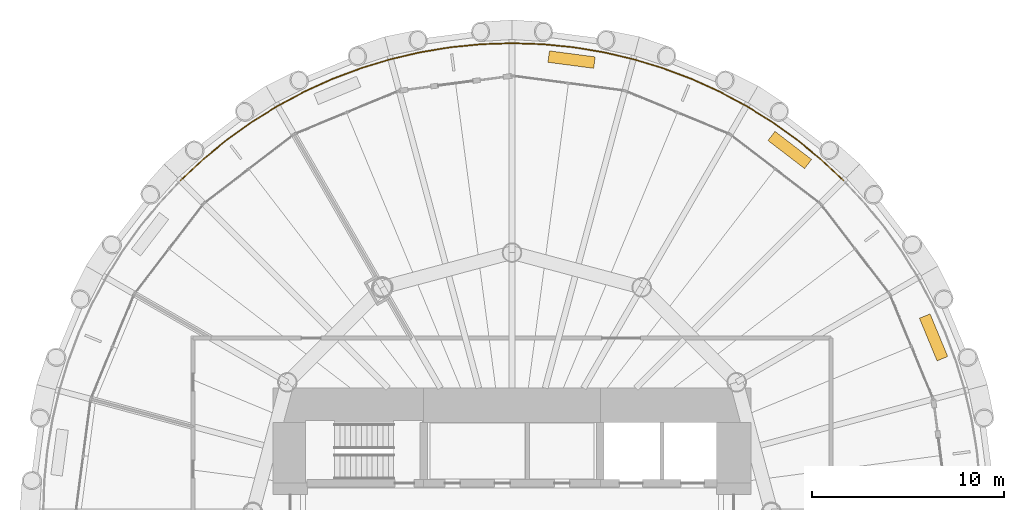
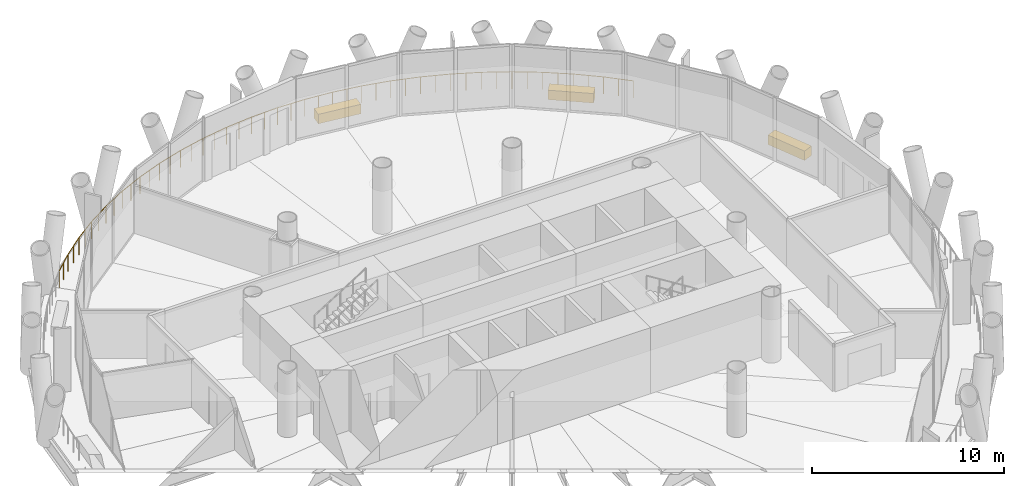
# One storey, part 14 of 14: 3 coverings, 1 railing.
"""IFC4 building model written with IfcOpenShell, lengths in metres."""

from ifc_helpers import new_model, si_unit, direction, frame, origin, origin_2d, place, context, subcontext, project, spatial, rectangle, circle, extrude, material, layer, layer_set, type_object, element, save


model = new_model("IFC4")

# Units and contexts
model_context = context("Model", 3, precision=1e-05, world=origin(), true_north=direction((0.0, 1.0)))
body_context = subcontext(model_context, "Body", "Model", "MODEL_VIEW")
ifc_project = project(units=[si_unit("LENGTHUNIT", "METRE"), si_unit("AREAUNIT", "SQUARE_METRE"), si_unit("VOLUMEUNIT", "CUBIC_METRE"), si_unit("PLANEANGLEUNIT", "RADIAN"), si_unit("MASSUNIT", "GRAM", prefix="KILO")], contexts=[model_context])

# Site, building, storey
site_placement = place(None, origin())
site = spatial("IfcSite", under=ifc_project, at=site_placement, CompositionType="ELEMENT")
building_placement = place(site_placement, origin())
building = spatial("IfcBuilding", under=site, at=building_placement, Name="Qaws Media Tower", CompositionType="ELEMENT")
storey_placement = place(building_placement, frame((0.0, 0.0, 126.800048828125)))
storey = spatial("IfcBuildingStorey", under=building, at=storey_placement, Name="L28", CompositionType="ELEMENT", Elevation=126.800048828125)

# Railing
ifc_material_1 = material(Name="Stainless steel and glass guard", Category="steel")
railing_type = type_object("IfcRailingType", Name="Balcony guard 1100", PredefinedType="GUARDRAIL", material=ifc_material_1)
railing_placement = place(storey_placement, frame((77.25341796875, 67.25341796875, 0.0)))
element("IfcRailing", 1, at=railing_placement, inside=storey, type_object=railing_type, Name="GR1 balcony guard L28-1", PredefinedType="GUARDRAIL", context=body_context, shape_type="SweptSolid", body=[
    extrude(circle(Radius=0.02392578125, at=origin_2d()), frame((0.0, 0.0, 1.076171875), z_axis=(-0.729818476027, 0.683640981839, 0.0), x_axis=(-0.683640981839, -0.729818476027, 0.0)), (0.0, 0.0, 1.0), 1.5966796875),
    extrude(circle(Radius=0.02392578125, at=origin_2d()), frame((-1.165283203125, 1.091552734375, 1.076171875), z_axis=(-0.773036842629, 0.634361127386, 0.0), x_axis=(-0.634361127386, -0.773036842629, 0.0)), (0.0, 0.0, 1.0), 1.5966796875),
    extrude(circle(Radius=0.02392578125, at=origin_2d()), frame((-2.399658203125, 2.1044921875, 1.076171875), z_axis=(-0.812875043976, 0.582438119358, 0.0), x_axis=(-0.582438119358, -0.812875043976, 0.0)), (0.0, 0.0, 1.0), 1.5966796875),
    extrude(circle(Radius=0.02392578125, at=origin_2d()), frame((-3.697509765625, 3.034423828125, 1.076171875), z_axis=(-0.849181552622, 0.528101023183, 0.0), x_axis=(-0.528101023183, -0.849181552622, 0.0)), (0.0, 0.0, 1.0), 1.5966796875),
    extrude(circle(Radius=0.02392578125, at=origin_2d()), frame((-5.053466796875, 3.877685546875, 1.076171875), z_axis=(-0.881925093019, 0.471389573817, 0.0), x_axis=(-0.471389573817, -0.881925093019, 0.0)), (0.0, 0.0, 1.0), 1.5966796875),
    extrude(circle(Radius=0.02392578125, at=origin_2d()), frame((-6.461669921875, 4.63037109375, 1.076171875), z_axis=(-0.910868514456, 0.412696679624, 0.0), x_axis=(-0.412696679624, -0.910868514456, 0.0)), (0.0, 0.0, 1.0), 1.5966796875),
    extrude(circle(Radius=0.02392578125, at=origin_2d()), frame((-7.916015625, 5.289306640625, 1.076171875), z_axis=(-0.935945304178, 0.352145406881, 0.0), x_axis=(-0.352145406881, -0.935945304178, 0.0)), (0.0, 0.0, 1.0), 1.5966796875),
    extrude(circle(Radius=0.02392578125, at=origin_2d()), frame((-9.410400390625, 5.8515625, 1.076171875), z_axis=(-0.956912447649, 0.290376596051, 0.0), x_axis=(-0.290376596051, -0.956912447649, 0.0)), (0.0, 0.0, 1.0), 1.5966796875),
    extrude(circle(Radius=0.02392578125, at=origin_2d()), frame((-10.938232421875, 6.315185546875, 1.076171875), z_axis=(-0.973878416925, 0.227070097211, 0.0), x_axis=(-0.227070097211, -0.973878416925, 0.0)), (0.0, 0.0, 1.0), 1.5966796875),
    extrude(circle(Radius=0.02392578125, at=origin_2d()), frame((-12.4931640625, 6.677734375, 1.076171875), z_axis=(-0.986653027442, 0.162836738606, 0.0), x_axis=(-0.162836738606, -0.986653027442, 0.0)), (0.0, 0.0, 1.0), 1.5966796875),
    extrude(circle(Radius=0.02392578125, at=origin_2d()), frame((-14.068603515625, 6.937744140625, 1.076171875), z_axis=(-0.995184458966, 0.098019858359, 0.0), x_axis=(-0.098019858359, -0.995184458966, 0.0)), (0.0, 0.0, 1.0), 1.596435546875),
    extrude(circle(Radius=0.02392578125, at=origin_2d()), frame((-15.657470703125, 7.09423828125, 1.076171875), z_axis=(-0.999464583588, 0.032719201604, 0.0), x_axis=(-0.032719201604, -0.999464583588, 0.0)), (0.0, 0.0, 1.0), 1.596923828125),
    extrude(circle(Radius=0.02392578125, at=origin_2d()), frame((-17.25341796875, 7.146484375, 1.076171875), z_axis=(-0.999464583588, -0.032719201604, 0.0), x_axis=(0.032719201604, -0.999464583588, 0.0)), (0.0, 0.0, 1.0), 1.596923828125),
    extrude(circle(Radius=0.02392578125, at=origin_2d()), frame((-18.849365234375, 7.09423828125, 1.076171875), z_axis=(-0.995184458966, -0.098019858359, 0.0), x_axis=(0.098019858359, -0.995184458966, 0.0)), (0.0, 0.0, 1.0), 1.596435546875),
    extrude(circle(Radius=0.02392578125, at=origin_2d()), frame((-20.438232421875, 6.937744140625, 1.076171875), z_axis=(-0.986653027442, -0.162836738606, 0.0), x_axis=(0.162836738606, -0.986653027442, 0.0)), (0.0, 0.0, 1.0), 1.5966796875),
    extrude(circle(Radius=0.02392578125, at=origin_2d()), frame((-22.013671875, 6.677734375, 1.076171875), z_axis=(-0.973878416925, -0.227070097211, 0.0), x_axis=(0.227070097211, -0.973878416925, 0.0)), (0.0, 0.0, 1.0), 1.5966796875),
    extrude(circle(Radius=0.02392578125, at=origin_2d()), frame((-23.568603515625, 6.315185546875, 1.076171875), z_axis=(-0.956912447649, -0.290376596051, 0.0), x_axis=(0.290376596051, -0.956912447649, 0.0)), (0.0, 0.0, 1.0), 1.5966796875),
    extrude(circle(Radius=0.02392578125, at=origin_2d()), frame((-25.096435546875, 5.8515625, 1.076171875), z_axis=(-0.935945304178, -0.352145406881, 0.0), x_axis=(0.352145406881, -0.935945304178, 0.0)), (0.0, 0.0, 1.0), 1.5966796875),
    extrude(circle(Radius=0.02392578125, at=origin_2d()), frame((-26.5908203125, 5.289306640625, 1.076171875), z_axis=(-0.910868514456, -0.412696679624, 0.0), x_axis=(0.412696679624, -0.910868514456, 0.0)), (0.0, 0.0, 1.0), 1.5966796875),
    extrude(circle(Radius=0.02392578125, at=origin_2d()), frame((-28.045166015625, 4.63037109375, 1.076171875), z_axis=(-0.881925093019, -0.471389573817, 0.0), x_axis=(0.471389573817, -0.881925093019, 0.0)), (0.0, 0.0, 1.0), 1.5966796875),
    extrude(circle(Radius=0.02392578125, at=origin_2d()), frame((-29.453369140625, 3.877685546875, 1.076171875), z_axis=(-0.849181552622, -0.528101023183, 0.0), x_axis=(0.528101023183, -0.849181552622, 0.0)), (0.0, 0.0, 1.0), 1.5966796875),
    extrude(circle(Radius=0.02392578125, at=origin_2d()), frame((-30.809326171875, 3.034423828125, 1.076171875), z_axis=(-0.812875043976, -0.582438119358, 0.0), x_axis=(0.582438119358, -0.812875043976, 0.0)), (0.0, 0.0, 1.0), 1.5966796875),
    extrude(circle(Radius=0.02392578125, at=origin_2d()), frame((-32.107177734375, 2.1044921875, 1.076171875), z_axis=(-0.773036842629, -0.634361127386, 0.0), x_axis=(0.634361127386, -0.773036842629, 0.0)), (0.0, 0.0, 1.0), 1.5966796875),
    extrude(circle(Radius=0.02392578125, at=origin_2d()), frame((-33.341552734375, 1.091552734375, 1.076171875), z_axis=(-0.729818476027, -0.683640981839, 0.0), x_axis=(0.683640981839, -0.729818476027, 0.0)), (0.0, 0.0, 1.0), 1.5966796875),
    extrude(circle(Radius=0.02099609375, at=origin_2d()), origin(), (0.0, 0.0, 1.0), 1.052001953125),
    extrude(circle(Radius=0.02099609375, at=origin_2d()), frame((-0.58251953125, 0.5458984375, 0.0)), (0.0, 0.0, 1.0), 1.052001953125),
    extrude(circle(Radius=0.02099609375, at=origin_2d()), frame((-1.165283203125, 1.091552734375, 0.0)), (0.0, 0.0, 1.0), 1.052001953125),
    extrude(circle(Radius=0.02099609375, at=origin_2d()), frame((-1.782470703125, 1.59814453125, 0.0)), (0.0, 0.0, 1.0), 1.052001953125),
    extrude(circle(Radius=0.02099609375, at=origin_2d()), frame((-2.399658203125, 2.1044921875, 0.0)), (0.0, 0.0, 1.0), 1.052001953125),
    extrude(circle(Radius=0.02099609375, at=origin_2d()), frame((-3.048583984375, 2.5693359375, 0.0)), (0.0, 0.0, 1.0), 1.052001953125),
    extrude(circle(Radius=0.02099609375, at=origin_2d()), frame((-3.697509765625, 3.034423828125, 0.0)), (0.0, 0.0, 1.0), 1.052001953125),
    extrude(circle(Radius=0.02099609375, at=origin_2d()), frame((-4.37548828125, 3.4560546875, 0.0)), (0.0, 0.0, 1.0), 1.052001953125),
    extrude(circle(Radius=0.02099609375, at=origin_2d()), frame((-5.053466796875, 3.877685546875, 0.0)), (0.0, 0.0, 1.0), 1.052001953125),
    extrude(circle(Radius=0.02099609375, at=origin_2d()), frame((-5.757568359375, 4.25390625, 0.0)), (0.0, 0.0, 1.0), 1.052001953125),
    extrude(circle(Radius=0.02099609375, at=origin_2d()), frame((-6.461669921875, 4.63037109375, 0.0)), (0.0, 0.0, 1.0), 1.052001953125),
    extrude(circle(Radius=0.02099609375, at=origin_2d()), frame((-7.18896484375, 4.9599609375, 0.0)), (0.0, 0.0, 1.0), 1.052001953125),
    extrude(circle(Radius=0.02099609375, at=origin_2d()), frame((-7.916015625, 5.289306640625, 0.0)), (0.0, 0.0, 1.0), 1.052001953125),
    extrude(circle(Radius=0.02099609375, at=origin_2d()), frame((-8.6630859375, 5.5703125, 0.0)), (0.0, 0.0, 1.0), 1.052001953125),
    extrude(circle(Radius=0.02099609375, at=origin_2d()), frame((-9.410400390625, 5.8515625, 0.0)), (0.0, 0.0, 1.0), 1.052001953125),
    extrude(circle(Radius=0.02099609375, at=origin_2d()), frame((-10.17431640625, 6.08349609375, 0.0)), (0.0, 0.0, 1.0), 1.052001953125),
    extrude(circle(Radius=0.02099609375, at=origin_2d()), frame((-10.938232421875, 6.315185546875, 0.0)), (0.0, 0.0, 1.0), 1.052001953125),
    extrude(circle(Radius=0.02099609375, at=origin_2d()), frame((-11.7158203125, 6.49658203125, 0.0)), (0.0, 0.0, 1.0), 1.052001953125),
    extrude(circle(Radius=0.02099609375, at=origin_2d()), frame((-12.4931640625, 6.677734375, 0.0)), (0.0, 0.0, 1.0), 1.052001953125),
    extrude(circle(Radius=0.02099609375, at=origin_2d()), frame((-13.28076171875, 6.8076171875, 0.0)), (0.0, 0.0, 1.0), 1.052001953125),
    extrude(circle(Radius=0.02099609375, at=origin_2d()), frame((-14.068603515625, 6.937744140625, 0.0)), (0.0, 0.0, 1.0), 1.052001953125),
    extrude(circle(Radius=0.02099609375, at=origin_2d()), frame((-14.863037109375, 7.01611328125, 0.0)), (0.0, 0.0, 1.0), 1.052001953125),
    extrude(circle(Radius=0.02099609375, at=origin_2d()), frame((-15.657470703125, 7.09423828125, 0.0)), (0.0, 0.0, 1.0), 1.052001953125),
    extrude(circle(Radius=0.02099609375, at=origin_2d()), frame((-16.45556640625, 7.120361328125, 0.0)), (0.0, 0.0, 1.0), 1.052001953125),
    extrude(circle(Radius=0.02099609375, at=origin_2d()), frame((-17.25341796875, 7.146484375, 0.0)), (0.0, 0.0, 1.0), 1.052001953125),
    extrude(circle(Radius=0.02099609375, at=origin_2d()), frame((-18.05126953125, 7.120361328125, 0.0)), (0.0, 0.0, 1.0), 1.052001953125),
    extrude(circle(Radius=0.02099609375, at=origin_2d()), frame((-18.849365234375, 7.09423828125, 0.0)), (0.0, 0.0, 1.0), 1.052001953125),
    extrude(circle(Radius=0.02099609375, at=origin_2d()), frame((-19.643798828125, 7.01611328125, 0.0)), (0.0, 0.0, 1.0), 1.052001953125),
    extrude(circle(Radius=0.02099609375, at=origin_2d()), frame((-20.438232421875, 6.937744140625, 0.0)), (0.0, 0.0, 1.0), 1.052001953125),
    extrude(circle(Radius=0.02099609375, at=origin_2d()), frame((-21.22607421875, 6.8076171875, 0.0)), (0.0, 0.0, 1.0), 1.052001953125),
    extrude(circle(Radius=0.02099609375, at=origin_2d()), frame((-22.013671875, 6.677734375, 0.0)), (0.0, 0.0, 1.0), 1.052001953125),
    extrude(circle(Radius=0.02099609375, at=origin_2d()), frame((-22.791015625, 6.49658203125, 0.0)), (0.0, 0.0, 1.0), 1.052001953125),
    extrude(circle(Radius=0.02099609375, at=origin_2d()), frame((-23.568603515625, 6.315185546875, 0.0)), (0.0, 0.0, 1.0), 1.052001953125),
    extrude(circle(Radius=0.02099609375, at=origin_2d()), frame((-24.33251953125, 6.08349609375, 0.0)), (0.0, 0.0, 1.0), 1.052001953125),
    extrude(circle(Radius=0.02099609375, at=origin_2d()), frame((-25.096435546875, 5.8515625, 0.0)), (0.0, 0.0, 1.0), 1.052001953125),
    extrude(circle(Radius=0.02099609375, at=origin_2d()), frame((-25.84375, 5.5703125, 0.0)), (0.0, 0.0, 1.0), 1.052001953125),
    extrude(circle(Radius=0.02099609375, at=origin_2d()), frame((-26.5908203125, 5.289306640625, 0.0)), (0.0, 0.0, 1.0), 1.052001953125),
    extrude(circle(Radius=0.02099609375, at=origin_2d()), frame((-27.31787109375, 4.9599609375, 0.0)), (0.0, 0.0, 1.0), 1.052001953125),
    extrude(circle(Radius=0.02099609375, at=origin_2d()), frame((-28.045166015625, 4.63037109375, 0.0)), (0.0, 0.0, 1.0), 1.052001953125),
    extrude(circle(Radius=0.02099609375, at=origin_2d()), frame((-28.749267578125, 4.25390625, 0.0)), (0.0, 0.0, 1.0), 1.052001953125),
    extrude(circle(Radius=0.02099609375, at=origin_2d()), frame((-29.453369140625, 3.877685546875, 0.0)), (0.0, 0.0, 1.0), 1.052001953125),
    extrude(circle(Radius=0.02099609375, at=origin_2d()), frame((-30.13134765625, 3.4560546875, 0.0)), (0.0, 0.0, 1.0), 1.052001953125),
    extrude(circle(Radius=0.02099609375, at=origin_2d()), frame((-30.809326171875, 3.034423828125, 0.0)), (0.0, 0.0, 1.0), 1.052001953125),
    extrude(circle(Radius=0.02099609375, at=origin_2d()), frame((-31.458251953125, 2.5693359375, 0.0)), (0.0, 0.0, 1.0), 1.052001953125),
    extrude(circle(Radius=0.02099609375, at=origin_2d()), frame((-32.107177734375, 2.1044921875, 0.0)), (0.0, 0.0, 1.0), 1.052001953125),
    extrude(circle(Radius=0.02099609375, at=origin_2d()), frame((-32.724365234375, 1.59814453125, 0.0)), (0.0, 0.0, 1.0), 1.052001953125),
    extrude(circle(Radius=0.02099609375, at=origin_2d()), frame((-33.341552734375, 1.091552734375, 0.0)), (0.0, 0.0, 1.0), 1.052001953125),
    extrude(circle(Radius=0.02099609375, at=origin_2d()), frame((-33.92431640625, 0.5458984375, 0.0)), (0.0, 0.0, 1.0), 1.052001953125),
    extrude(circle(Radius=0.02099609375, at=origin_2d()), frame((-34.5068359375, 0.0, 0.0)), (0.0, 0.0, 1.0), 1.052001953125),
])

# Coverings
ifc_material_2 = material(Name="Precast concrete planter with trailing planting", Category="concrete")
ifc_layer = layer(ifc_material_2, 0.60009765625)
ifc_layer_set = layer_set([ifc_layer], Name="Planter 2400x600")
covering_type = type_object("IfcCoveringType", Name="Planter 2400x600", PredefinedType="USERDEFINED", material=ifc_layer_set)
for number, where, z_axis, x_axis, name in (
    (2, (81.942138671875, 59.088623046875, 0.0), (0.0, 0.0, 1.0), (-0.382683432365, 0.923879532511, 0.0), "PL1 balcony planter L28-01"),
    (3, (74.4580078125, 68.842041015625, 0.0), (0.0, 0.0, 1.0), (-0.793353340291, 0.608761429009, 0.0), "PL1 balcony planter L28-02"),
    (4, (63.10009765625, 73.546875, 0.0), (0.0, 0.0, 1.0), (-0.991444861374, 0.13052619222, 0.0), "PL1 balcony planter L28-03"),
):
    element("IfcCovering", number, at=place(storey_placement, frame(where, z_axis=z_axis, x_axis=x_axis)), inside=storey, type_object=covering_type, Name=name, ObjectType="PLANTER", PredefinedType="USERDEFINED", context=body_context, shape_type="SweptSolid", body=[
        extrude(rectangle(XDim=2.39990234375, YDim=0.60009765625, at=origin_2d()), origin(), (0.0, 0.0, 1.0), 0.60009765625),
    ])

save(model, "model.ifc")
